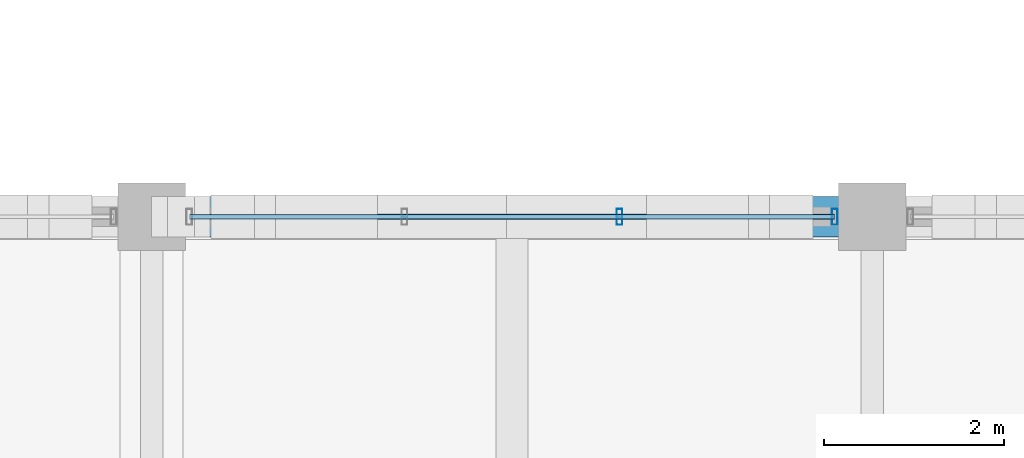
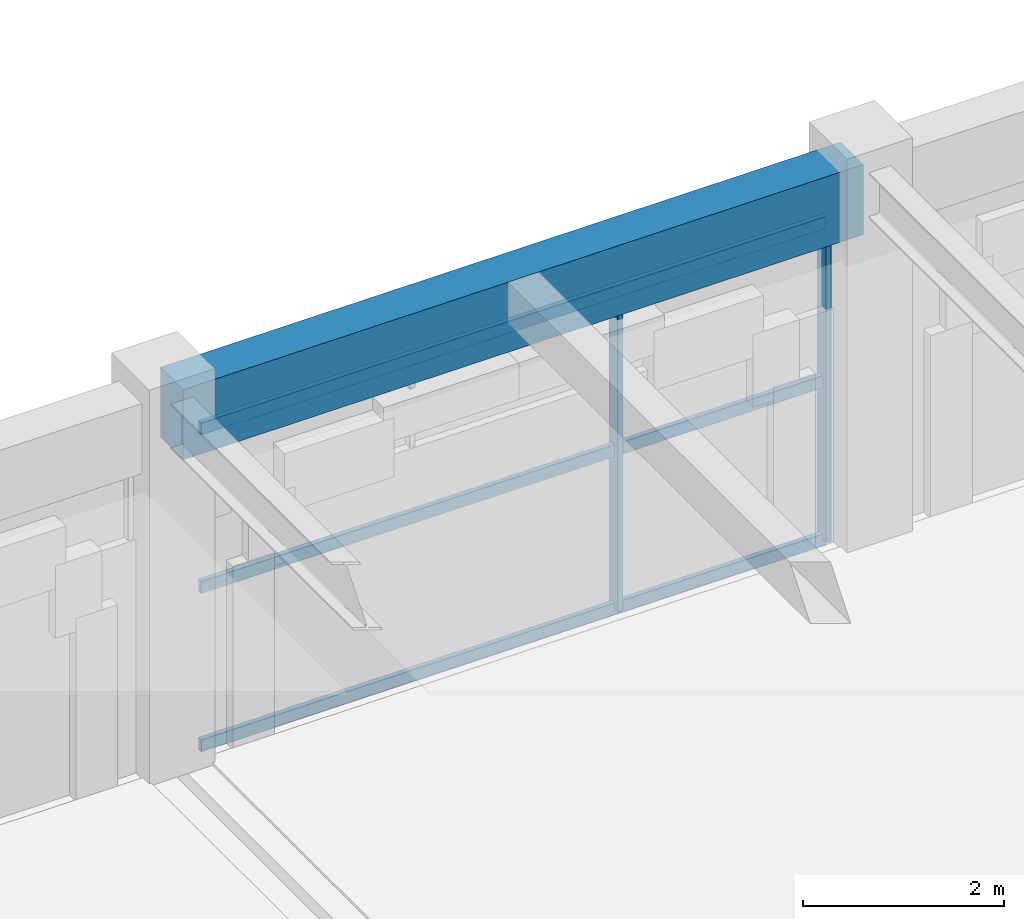
# One storey, part 19 of 144: 5 members, 1 beam, 1 element without a shape of its own.
"""IFC4 building model written with IfcOpenShell, lengths in metres."""

from ifc_helpers import new_model, si_unit, direction, frame, origin, origin_2d, place, context, subcontext, project, spatial, rectangle, hollow_rectangle, extrude, material, material_profile, profile_set, type_object, element, aggregate, save


model = new_model("IFC4")

# Units and contexts
model_context = context("Model", 3, precision=1e-05, world=origin(), true_north=direction((0.0, 1.0)))
body_context = subcontext(model_context, "Body", "Model", "MODEL_VIEW")
ifc_project = project(units=[si_unit("LENGTHUNIT", "METRE"), si_unit("AREAUNIT", "SQUARE_METRE"), si_unit("VOLUMEUNIT", "CUBIC_METRE"), si_unit("PLANEANGLEUNIT", "RADIAN"), si_unit("MASSUNIT", "GRAM", prefix="KILO")], contexts=[model_context])

# Site, building, storey
site_placement = place(None, origin())
site = spatial("IfcSite", under=ifc_project, at=site_placement, CompositionType="ELEMENT")
building_placement = place(site_placement, origin())
building = spatial("IfcBuilding", under=site, at=building_placement, Name="Varnabhumi Central Station", CompositionType="ELEMENT")
storey_placement = place(building_placement, frame((0.0, 0.0, 4.800048828125)))
storey = spatial("IfcBuildingStorey", under=building, at=storey_placement, Name="L01", CompositionType="ELEMENT", Elevation=4.800048828125)

# Beam
ifc_material_1 = material(Name="Concrete M40", Category="concrete")
ifc_material_profile_1 = material_profile(ifc_material_1, rectangle(XDim=0.449951171875, YDim=0.85009765625, at=origin_2d()), Name="Concrete M40", Category="concrete")
ifc_profile_set_1 = profile_set([ifc_material_profile_1], Name="Concrete M40")
beam_type = type_object("IfcBeamType", Name="BM-RC-450x850", PredefinedType="BEAM", material=ifc_profile_set_1)
beam_placement = place(storey_placement, frame((120.10009765625, 9.0, 4.125), z_axis=(1.0, 0.0, 0.0), x_axis=(0.0, 1.0, 0.0)))
element("IfcBeam", 1, at=beam_placement, inside=storey, type_object=beam_type, Name="Beam L01-B:16-17", PredefinedType="BEAM", context=body_context, shape_type="SweptSolid", body=[
    extrude(rectangle(XDim=0.449951171875, YDim=0.85009765625, at=origin_2d()), origin(), (0.0, 0.0, 1.0), 7.7998046875),
])

# Curtain wall, members
ifc_material_2 = material(Name="Anodised aluminium 6063-T6", Category="aluminium")
curtain_wall_type = type_object("IfcCurtainWallType", Name="CW-PATIO-LOGGIA-L1", PredefinedType="NOTDEFINED", material=ifc_material_2)
curtain_wall_placement = place(storey_placement, origin())
curtain_wall = element("IfcCurtainWall", 2, at=curtain_wall_placement, inside=storey, type_object=curtain_wall_type, Name="Curtain Wall CW-SP1S2", PredefinedType="NOTDEFINED")
ifc_material_profile_2 = material_profile(ifc_material_2, hollow_rectangle(XDim=0.06494140625, YDim=0.179931640625, WallThickness=0.00390625, InnerFilletRadius=0.001953125, OuterFilletRadius=0.006103515625, at=origin_2d()), Name="Anodised aluminium 6063-T6", Category="aluminium")
ifc_profile_set_2 = profile_set([ifc_material_profile_2], Name="Anodised aluminium 6063-T6")
member_type_1 = type_object("IfcMemberType", Name="CW-MUL-180", PredefinedType="MULLION", material=ifc_profile_set_2)
member_1_placement = place(storey_placement, frame((125.193359375, 9.0, 0.0), z_axis=(0.0, 0.0, 1.0), x_axis=(1.0, 0.0, 0.0)))
member_1 = element("IfcMember", 3, at=member_1_placement, type_object=member_type_1, Name="Curtain Wall Mullion CW-SP1S2-M3", PredefinedType="MULLION", context=body_context, shape_type="SweptSolid", body=[
    extrude(hollow_rectangle(XDim=0.06494140625, YDim=0.179931640625, WallThickness=0.00390625, InnerFilletRadius=0.001953125, OuterFilletRadius=0.006103515625, at=origin_2d()), origin(), (0.0, 0.0, 1.0), 3.83984375),
])
member_2_placement = place(storey_placement, frame((127.580078125, 9.0, 0.0), z_axis=(0.0, 0.0, 1.0), x_axis=(1.0, 0.0, 0.0)))
member_2 = element("IfcMember", 4, at=member_2_placement, type_object=member_type_1, Name="Curtain Wall Mullion CW-SP1S2-M4", PredefinedType="MULLION", context=body_context, shape_type="SweptSolid", body=[
    extrude(hollow_rectangle(XDim=0.06494140625, YDim=0.179931640625, WallThickness=0.00390625, InnerFilletRadius=0.001953125, OuterFilletRadius=0.006103515625, at=origin_2d()), origin(), (0.0, 0.0, 1.0), 3.83984375),
])
ifc_material_profile_3 = material_profile(ifc_material_2, hollow_rectangle(XDim=0.06005859375, YDim=0.14990234375, WallThickness=0.00390625, InnerFilletRadius=0.001953125, OuterFilletRadius=0.006103515625, at=origin_2d()), Name="Anodised aluminium 6063-T6", Category="aluminium")
ifc_profile_set_3 = profile_set([ifc_material_profile_3], Name="Anodised aluminium 6063-T6")
member_type_2 = type_object("IfcMemberType", Name="CW-TR-150", PredefinedType="USERDEFINED", material=ifc_profile_set_3)
member_3_placement = place(storey_placement, frame((120.419921875, 9.0, 0.0), z_axis=(1.0, 0.0, 0.0), x_axis=(0.0, 1.0, 0.0)))
member_3 = element("IfcMember", 5, at=member_3_placement, type_object=member_type_2, Name="Curtain Wall Transom CW-SP1S2-T1", ObjectType="TRANSOM", PredefinedType="USERDEFINED", context=body_context, shape_type="SweptSolid", body=[
    extrude(hollow_rectangle(XDim=0.06005859375, YDim=0.14990234375, WallThickness=0.00390625, InnerFilletRadius=0.001953125, OuterFilletRadius=0.006103515625, at=origin_2d()), origin(), (0.0, 0.0, 1.0), 7.16015625),
])
member_4_placement = place(storey_placement, frame((120.419921875, 9.0, 1.919921875), z_axis=(1.0, 0.0, 0.0), x_axis=(0.0, 1.0, 0.0)))
member_4 = element("IfcMember", 6, at=member_4_placement, type_object=member_type_2, Name="Curtain Wall Transom CW-SP1S2-T2", ObjectType="TRANSOM", PredefinedType="USERDEFINED", context=body_context, shape_type="SweptSolid", body=[
    extrude(hollow_rectangle(XDim=0.06005859375, YDim=0.14990234375, WallThickness=0.00390625, InnerFilletRadius=0.001953125, OuterFilletRadius=0.006103515625, at=origin_2d()), origin(), (0.0, 0.0, 1.0), 7.16015625),
])
member_5_placement = place(storey_placement, frame((120.419921875, 9.0, 3.83984375), z_axis=(1.0, 0.0, 0.0), x_axis=(0.0, 1.0, 0.0)))
member_5 = element("IfcMember", 7, at=member_5_placement, type_object=member_type_2, Name="Curtain Wall Transom CW-SP1S2-T3", ObjectType="TRANSOM", PredefinedType="USERDEFINED", context=body_context, shape_type="SweptSolid", body=[
    extrude(hollow_rectangle(XDim=0.06005859375, YDim=0.14990234375, WallThickness=0.00390625, InnerFilletRadius=0.001953125, OuterFilletRadius=0.006103515625, at=origin_2d()), origin(), (0.0, 0.0, 1.0), 7.16015625),
])
aggregate(curtain_wall, [member_1, member_2, member_3, member_4, member_5])

save(model, "model.ifc")
